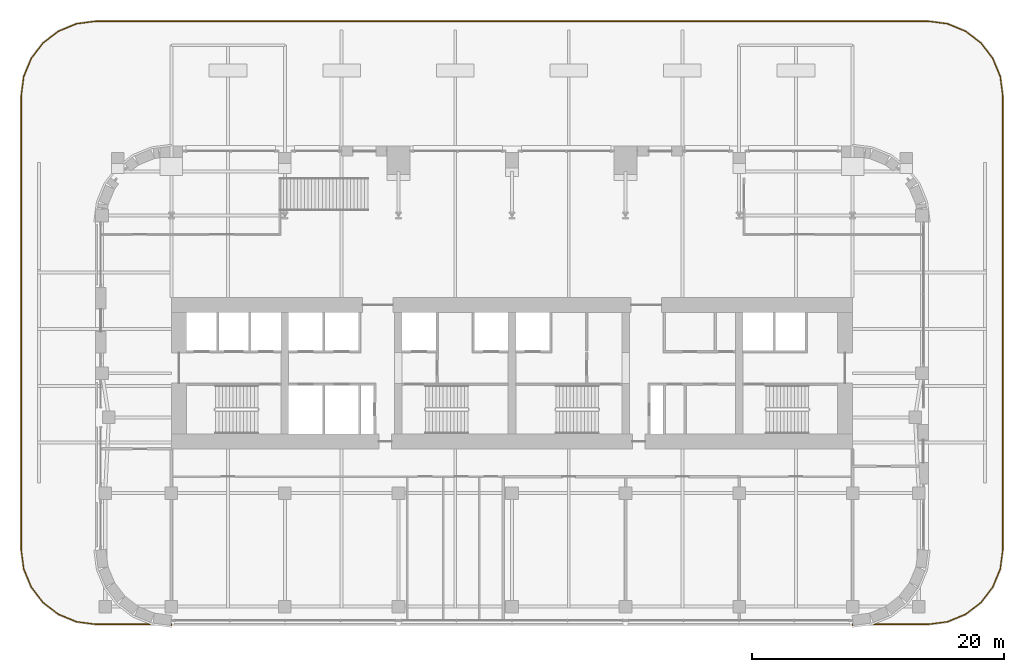
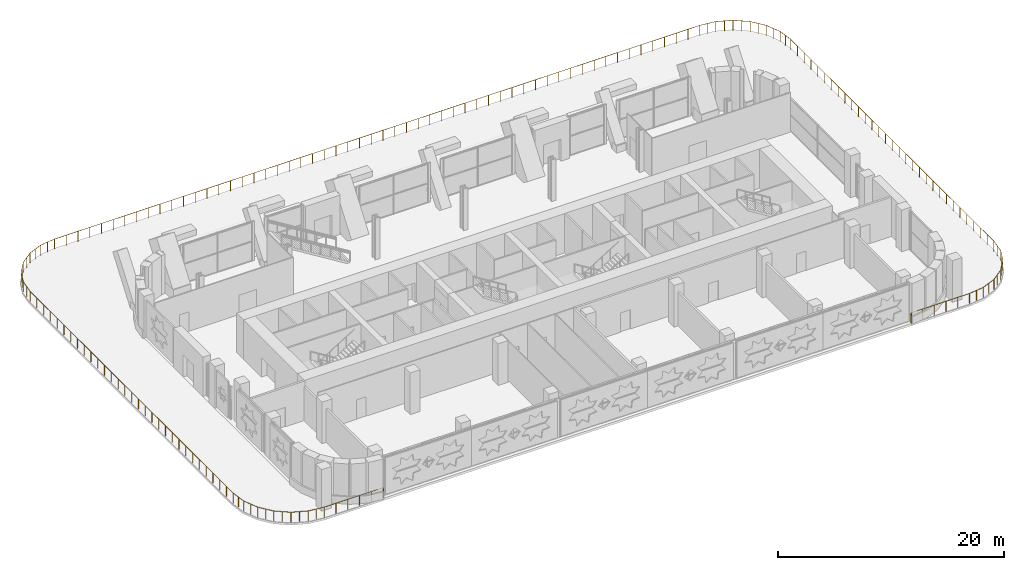
# One storey, part 20 of 26: 1 railing.
"""IFC4 building model written with IfcOpenShell, lengths in metres."""

from ifc_helpers import new_model, si_unit, direction, frame, origin, origin_2d, place, context, subcontext, project, spatial, circle, extrude, material, type_object, element, save


model = new_model("IFC4")

# Units and contexts
model_context = context("Model", 3, precision=1e-05, world=origin(), true_north=direction((0.0, 1.0)))
body_context = subcontext(model_context, "Body", "Model", "MODEL_VIEW")
ifc_project = project(units=[si_unit("LENGTHUNIT", "METRE"), si_unit("AREAUNIT", "SQUARE_METRE"), si_unit("VOLUMEUNIT", "CUBIC_METRE"), si_unit("PLANEANGLEUNIT", "RADIAN"), si_unit("MASSUNIT", "GRAM", prefix="KILO")], contexts=[model_context])

# Site, building, storey
site_placement = place(None, origin())
site = spatial("IfcSite", under=ifc_project, at=site_placement, CompositionType="ELEMENT")
building_placement = place(site_placement, origin())
building = spatial("IfcBuilding", under=site, at=building_placement, Name="Zellij Exchange Tower", CompositionType="ELEMENT")
storey_placement = place(building_placement, frame((0.0, 0.0, 39.0)))
storey = spatial("IfcBuildingStorey", under=building, at=storey_placement, Name="L06", CompositionType="ELEMENT", Elevation=39.0)

# Railing
ifc_material = material(Name="Bronze-finished aluminium", Category="aluminium")
railing_type = type_object("IfcRailingType", Name="ENV-GR1 Terrace guard", PredefinedType="GUARDRAIL", material=ifc_material)
railing_placement = place(storey_placement, frame((27.000732421875, -28.0, 0.0)))
element("IfcRailing", 1, at=railing_placement, inside=storey, type_object=railing_type, Name="Terrace guard", PredefinedType="GUARDRAIL", context=body_context, shape_type="SweptSolid", body=[
    extrude(circle(Radius=0.02490234375, at=origin_2d()), frame((0.0, 0.0, 1.0751953125), z_axis=(0.0, 1.0, 0.0), x_axis=(-1.0, 0.0, 0.0)), (0.0, 0.0, 1.0), 0.10009765625),
    extrude(circle(Radius=0.02490234375, at=origin_2d()), frame((0.0, 0.10009765625, 1.0751953125), z_axis=(1.0, 0.0, 0.0), x_axis=(0.0, 1.0, 0.0)), (0.0, 0.0, 1.0), 5.99267578125),
    extrude(circle(Radius=0.02490234375, at=origin_2d()), frame((5.99267578125, 0.10009765625, 1.0751953125), z_axis=(0.991463426777, 0.130385096405, 0.0), x_axis=(-0.130385096405, 0.991463426777, 0.0)), (0.0, 0.0, 1.0), 1.546630859375),
    extrude(circle(Radius=0.02490234375, at=origin_2d()), frame((7.526123046875, 0.3017578125, 1.0751953125), z_axis=(0.923881586142, 0.382678474425, 0.0), x_axis=(-0.382678474425, 0.923881586142, 0.0)), (0.0, 0.0, 1.0), 1.5400390625),
    extrude(circle(Radius=0.02490234375, at=origin_2d()), frame((8.948974609375, 0.89111328125, 1.0751953125), z_axis=(0.793330694412, 0.608790940556, 0.0), x_axis=(-0.608790940556, 0.793330694412, 0.0)), (0.0, 0.0, 1.0), 1.5400390625),
    extrude(circle(Radius=0.02490234375, at=origin_2d()), frame((10.170654296875, 1.82861328125, 1.0751953125), z_axis=(0.608790940556, 0.793330694412, 0.0), x_axis=(-0.793330694412, 0.608790940556, 0.0)), (0.0, 0.0, 1.0), 1.5400390625),
    extrude(circle(Radius=0.02490234375, at=origin_2d()), frame((11.108154296875, 3.05029296875, 1.0751953125), z_axis=(0.382678474425, 0.923881586142, 0.0), x_axis=(-0.923881586142, 0.382678474425, 0.0)), (0.0, 0.0, 1.0), 1.5400390625),
    extrude(circle(Radius=0.02490234375, at=origin_2d()), frame((11.697509765625, 4.47314453125, 1.0751953125), z_axis=(0.130385096405, 0.991463426777, 0.0), x_axis=(-0.991463426777, 0.130385096405, 0.0)), (0.0, 0.0, 1.0), 1.546630859375),
    extrude(circle(Radius=0.02490234375, at=origin_2d()), frame((11.899169921875, 6.006591796875, 1.0751953125), z_axis=(0.0, 1.0, 0.0), x_axis=(-1.0, 0.0, 0.0)), (0.0, 0.0, 1.0), 35.98681640625),
    extrude(circle(Radius=0.02490234375, at=origin_2d()), frame((11.899169921875, 41.993408203125, 1.0751953125), z_axis=(-0.130385096405, 0.991463426777, 0.0), x_axis=(-0.991463426777, -0.130385096405, 0.0)), (0.0, 0.0, 1.0), 1.546630859375),
    extrude(circle(Radius=0.02490234375, at=origin_2d()), frame((11.697509765625, 43.52685546875, 1.0751953125), z_axis=(-0.382678474425, 0.923881586142, 0.0), x_axis=(-0.923881586142, -0.382678474425, 0.0)), (0.0, 0.0, 1.0), 1.5400390625),
    extrude(circle(Radius=0.02490234375, at=origin_2d()), frame((11.108154296875, 44.94970703125, 1.0751953125), z_axis=(-0.608790940556, 0.793330694412, 0.0), x_axis=(-0.793330694412, -0.608790940556, 0.0)), (0.0, 0.0, 1.0), 1.5400390625),
    extrude(circle(Radius=0.02490234375, at=origin_2d()), frame((10.170654296875, 46.17138671875, 1.0751953125), z_axis=(-0.793330694412, 0.608790940556, 0.0), x_axis=(-0.608790940556, -0.793330694412, 0.0)), (0.0, 0.0, 1.0), 1.5400390625),
    extrude(circle(Radius=0.02490234375, at=origin_2d()), frame((8.948974609375, 47.10888671875, 1.0751953125), z_axis=(-0.923881586142, 0.382678474425, 0.0), x_axis=(-0.382678474425, -0.923881586142, 0.0)), (0.0, 0.0, 1.0), 1.5400390625),
    extrude(circle(Radius=0.02490234375, at=origin_2d()), frame((7.526123046875, 47.6982421875, 1.0751953125), z_axis=(-0.991463426777, 0.130385096405, 0.0), x_axis=(-0.130385096405, -0.991463426777, 0.0)), (0.0, 0.0, 1.0), 1.546630859375),
    extrude(circle(Radius=0.02490234375, at=origin_2d()), frame((5.99267578125, 47.89990234375, 1.0751953125), z_axis=(-1.0, 0.0, 0.0), x_axis=(0.0, -1.0, 0.0)), (0.0, 0.0, 1.0), 65.98681640625),
    extrude(circle(Radius=0.02490234375, at=origin_2d()), frame((-59.994140625, 47.89990234375, 1.0751953125), z_axis=(-0.991463426777, -0.130385096405, 0.0), x_axis=(0.130385096405, -0.991463426777, 0.0)), (0.0, 0.0, 1.0), 1.546630859375),
    extrude(circle(Radius=0.02490234375, at=origin_2d()), frame((-61.527587890625, 47.6982421875, 1.0751953125), z_axis=(-0.923881586142, -0.382678474425, 0.0), x_axis=(0.382678474425, -0.923881586142, 0.0)), (0.0, 0.0, 1.0), 1.5400390625),
    extrude(circle(Radius=0.02490234375, at=origin_2d()), frame((-62.950439453125, 47.10888671875, 1.0751953125), z_axis=(-0.793330694412, -0.608790940556, 0.0), x_axis=(0.608790940556, -0.793330694412, 0.0)), (0.0, 0.0, 1.0), 1.5400390625),
    extrude(circle(Radius=0.02490234375, at=origin_2d()), frame((-64.172119140625, 46.17138671875, 1.0751953125), z_axis=(-0.608790940556, -0.793330694412, 0.0), x_axis=(0.793330694412, -0.608790940556, 0.0)), (0.0, 0.0, 1.0), 1.5400390625),
    extrude(circle(Radius=0.02490234375, at=origin_2d()), frame((-65.109619140625, 44.94970703125, 1.0751953125), z_axis=(-0.382678474425, -0.923881586142, 0.0), x_axis=(0.923881586142, -0.382678474425, 0.0)), (0.0, 0.0, 1.0), 1.5400390625),
    extrude(circle(Radius=0.02490234375, at=origin_2d()), frame((-65.698974609375, 43.52685546875, 1.0751953125), z_axis=(-0.130385096405, -0.991463426777, 0.0), x_axis=(0.991463426777, -0.130385096405, 0.0)), (0.0, 0.0, 1.0), 1.546630859375),
    extrude(circle(Radius=0.02490234375, at=origin_2d()), frame((-65.900634765625, 41.993408203125, 1.0751953125), z_axis=(0.0, -1.0, 0.0), x_axis=(1.0, 0.0, 0.0)), (0.0, 0.0, 1.0), 35.98681640625),
    extrude(circle(Radius=0.02490234375, at=origin_2d()), frame((-65.900634765625, 6.006591796875, 1.0751953125), z_axis=(0.130385096405, -0.991463426777, 0.0), x_axis=(0.991463426777, 0.130385096405, 0.0)), (0.0, 0.0, 1.0), 1.546630859375),
    extrude(circle(Radius=0.02490234375, at=origin_2d()), frame((-65.698974609375, 4.47314453125, 1.0751953125), z_axis=(0.382678474425, -0.923881586142, 0.0), x_axis=(0.923881586142, 0.382678474425, 0.0)), (0.0, 0.0, 1.0), 1.5400390625),
    extrude(circle(Radius=0.02490234375, at=origin_2d()), frame((-65.109619140625, 3.05029296875, 1.0751953125), z_axis=(0.608790940556, -0.793330694412, 0.0), x_axis=(0.793330694412, 0.608790940556, 0.0)), (0.0, 0.0, 1.0), 1.5400390625),
    extrude(circle(Radius=0.02490234375, at=origin_2d()), frame((-64.172119140625, 1.82861328125, 1.0751953125), z_axis=(0.793330694412, -0.608790940556, 0.0), x_axis=(0.608790940556, 0.793330694412, 0.0)), (0.0, 0.0, 1.0), 1.5400390625),
    extrude(circle(Radius=0.02490234375, at=origin_2d()), frame((-62.950439453125, 0.89111328125, 1.0751953125), z_axis=(0.923881586142, -0.382678474425, 0.0), x_axis=(0.382678474425, 0.923881586142, 0.0)), (0.0, 0.0, 1.0), 1.5400390625),
    extrude(circle(Radius=0.02490234375, at=origin_2d()), frame((-61.527587890625, 0.3017578125, 1.0751953125), z_axis=(0.991463426777, -0.130385096405, 0.0), x_axis=(0.130385096405, 0.991463426777, 0.0)), (0.0, 0.0, 1.0), 1.546630859375),
    extrude(circle(Radius=0.02490234375, at=origin_2d()), frame((-59.994140625, 0.10009765625, 1.0751953125), z_axis=(1.0, 0.0, 0.0), x_axis=(0.0, 1.0, 0.0)), (0.0, 0.0, 1.0), 5.99267578125),
    extrude(circle(Radius=0.02490234375, at=origin_2d()), frame((-54.00146484375, 0.10009765625, 1.0751953125), z_axis=(0.0, -1.0, 0.0), x_axis=(1.0, 0.0, 0.0)), (0.0, 0.0, 1.0), 0.10009765625),
    extrude(circle(Radius=0.030029296875, at=origin_2d()), origin(), (0.0, 0.0, 1.0), 1.050048828125),
    extrude(circle(Radius=0.030029296875, at=origin_2d()), frame((0.0, 0.10009765625, 0.0)), (0.0, 0.0, 1.0), 1.050048828125),
    extrude(circle(Radius=0.030029296875, at=origin_2d()), frame((1.198486328125, 0.10009765625, 0.0)), (0.0, 0.0, 1.0), 1.050048828125),
    extrude(circle(Radius=0.030029296875, at=origin_2d()), frame((2.39697265625, 0.10009765625, 0.0)), (0.0, 0.0, 1.0), 1.050048828125),
    extrude(circle(Radius=0.030029296875, at=origin_2d()), frame((3.595703125, 0.10009765625, 0.0)), (0.0, 0.0, 1.0), 1.050048828125),
    extrude(circle(Radius=0.030029296875, at=origin_2d()), frame((4.794189453125, 0.10009765625, 0.0)), (0.0, 0.0, 1.0), 1.050048828125),
    extrude(circle(Radius=0.030029296875, at=origin_2d()), frame((5.99267578125, 0.10009765625, 0.0)), (0.0, 0.0, 1.0), 1.050048828125),
    extrude(circle(Radius=0.030029296875, at=origin_2d()), frame((6.75927734375, 0.200927734375, 0.0)), (0.0, 0.0, 1.0), 1.050048828125),
    extrude(circle(Radius=0.030029296875, at=origin_2d()), frame((7.526123046875, 0.3017578125, 0.0)), (0.0, 0.0, 1.0), 1.050048828125),
    extrude(circle(Radius=0.030029296875, at=origin_2d()), frame((8.237548828125, 0.596435546875, 0.0)), (0.0, 0.0, 1.0), 1.050048828125),
    extrude(circle(Radius=0.030029296875, at=origin_2d()), frame((8.948974609375, 0.89111328125, 0.0)), (0.0, 0.0, 1.0), 1.050048828125),
    extrude(circle(Radius=0.030029296875, at=origin_2d()), frame((9.559814453125, 1.35986328125, 0.0)), (0.0, 0.0, 1.0), 1.050048828125),
    extrude(circle(Radius=0.030029296875, at=origin_2d()), frame((10.170654296875, 1.82861328125, 0.0)), (0.0, 0.0, 1.0), 1.050048828125),
    extrude(circle(Radius=0.030029296875, at=origin_2d()), frame((10.639404296875, 2.439453125, 0.0)), (0.0, 0.0, 1.0), 1.050048828125),
    extrude(circle(Radius=0.030029296875, at=origin_2d()), frame((11.108154296875, 3.05029296875, 0.0)), (0.0, 0.0, 1.0), 1.050048828125),
    extrude(circle(Radius=0.030029296875, at=origin_2d()), frame((11.40283203125, 3.76171875, 0.0)), (0.0, 0.0, 1.0), 1.050048828125),
    extrude(circle(Radius=0.030029296875, at=origin_2d()), frame((11.697509765625, 4.47314453125, 0.0)), (0.0, 0.0, 1.0), 1.050048828125),
    extrude(circle(Radius=0.030029296875, at=origin_2d()), frame((11.79833984375, 5.23974609375, 0.0)), (0.0, 0.0, 1.0), 1.050048828125),
    extrude(circle(Radius=0.030029296875, at=origin_2d()), frame((11.899169921875, 6.006591796875, 0.0)), (0.0, 0.0, 1.0), 1.050048828125),
    extrude(circle(Radius=0.030029296875, at=origin_2d()), frame((11.899169921875, 7.2060546875, 0.0)), (0.0, 0.0, 1.0), 1.050048828125),
    extrude(circle(Radius=0.030029296875, at=origin_2d()), frame((11.899169921875, 8.40576171875, 0.0)), (0.0, 0.0, 1.0), 1.050048828125),
    extrude(circle(Radius=0.030029296875, at=origin_2d()), frame((11.899169921875, 9.605224609375, 0.0)), (0.0, 0.0, 1.0), 1.050048828125),
    extrude(circle(Radius=0.030029296875, at=origin_2d()), frame((11.899169921875, 10.804931640625, 0.0)), (0.0, 0.0, 1.0), 1.050048828125),
    extrude(circle(Radius=0.030029296875, at=origin_2d()), frame((11.899169921875, 12.00439453125, 0.0)), (0.0, 0.0, 1.0), 1.050048828125),
    extrude(circle(Radius=0.030029296875, at=origin_2d()), frame((11.899169921875, 13.203857421875, 0.0)), (0.0, 0.0, 1.0), 1.050048828125),
    extrude(circle(Radius=0.030029296875, at=origin_2d()), frame((11.899169921875, 14.403564453125, 0.0)), (0.0, 0.0, 1.0), 1.050048828125),
    extrude(circle(Radius=0.030029296875, at=origin_2d()), frame((11.899169921875, 15.60302734375, 0.0)), (0.0, 0.0, 1.0), 1.050048828125),
    extrude(circle(Radius=0.030029296875, at=origin_2d()), frame((11.899169921875, 16.802734375, 0.0)), (0.0, 0.0, 1.0), 1.050048828125),
    extrude(circle(Radius=0.030029296875, at=origin_2d()), frame((11.899169921875, 18.002197265625, 0.0)), (0.0, 0.0, 1.0), 1.050048828125),
    extrude(circle(Radius=0.030029296875, at=origin_2d()), frame((11.899169921875, 19.20166015625, 0.0)), (0.0, 0.0, 1.0), 1.050048828125),
    extrude(circle(Radius=0.030029296875, at=origin_2d()), frame((11.899169921875, 20.4013671875, 0.0)), (0.0, 0.0, 1.0), 1.050048828125),
    extrude(circle(Radius=0.030029296875, at=origin_2d()), frame((11.899169921875, 21.600830078125, 0.0)), (0.0, 0.0, 1.0), 1.050048828125),
    extrude(circle(Radius=0.030029296875, at=origin_2d()), frame((11.899169921875, 22.800537109375, 0.0)), (0.0, 0.0, 1.0), 1.050048828125),
    extrude(circle(Radius=0.030029296875, at=origin_2d()), frame((11.899169921875, 24.0, 0.0)), (0.0, 0.0, 1.0), 1.050048828125),
    extrude(circle(Radius=0.030029296875, at=origin_2d()), frame((11.899169921875, 25.199462890625, 0.0)), (0.0, 0.0, 1.0), 1.050048828125),
    extrude(circle(Radius=0.030029296875, at=origin_2d()), frame((11.899169921875, 26.399169921875, 0.0)), (0.0, 0.0, 1.0), 1.050048828125),
    extrude(circle(Radius=0.030029296875, at=origin_2d()), frame((11.899169921875, 27.5986328125, 0.0)), (0.0, 0.0, 1.0), 1.050048828125),
    extrude(circle(Radius=0.030029296875, at=origin_2d()), frame((11.899169921875, 28.79833984375, 0.0)), (0.0, 0.0, 1.0), 1.050048828125),
    extrude(circle(Radius=0.030029296875, at=origin_2d()), frame((11.899169921875, 29.997802734375, 0.0)), (0.0, 0.0, 1.0), 1.050048828125),
    extrude(circle(Radius=0.030029296875, at=origin_2d()), frame((11.899169921875, 31.197265625, 0.0)), (0.0, 0.0, 1.0), 1.050048828125),
    extrude(circle(Radius=0.030029296875, at=origin_2d()), frame((11.899169921875, 32.39697265625, 0.0)), (0.0, 0.0, 1.0), 1.050048828125),
    extrude(circle(Radius=0.030029296875, at=origin_2d()), frame((11.899169921875, 33.596435546875, 0.0)), (0.0, 0.0, 1.0), 1.050048828125),
    extrude(circle(Radius=0.030029296875, at=origin_2d()), frame((11.899169921875, 34.796142578125, 0.0)), (0.0, 0.0, 1.0), 1.050048828125),
    extrude(circle(Radius=0.030029296875, at=origin_2d()), frame((11.899169921875, 35.99560546875, 0.0)), (0.0, 0.0, 1.0), 1.050048828125),
    extrude(circle(Radius=0.030029296875, at=origin_2d()), frame((11.899169921875, 37.195068359375, 0.0)), (0.0, 0.0, 1.0), 1.050048828125),
    extrude(circle(Radius=0.030029296875, at=origin_2d()), frame((11.899169921875, 38.394775390625, 0.0)), (0.0, 0.0, 1.0), 1.050048828125),
    extrude(circle(Radius=0.030029296875, at=origin_2d()), frame((11.899169921875, 39.59423828125, 0.0)), (0.0, 0.0, 1.0), 1.050048828125),
    extrude(circle(Radius=0.030029296875, at=origin_2d()), frame((11.899169921875, 40.7939453125, 0.0)), (0.0, 0.0, 1.0), 1.050048828125),
    extrude(circle(Radius=0.030029296875, at=origin_2d()), frame((11.899169921875, 41.993408203125, 0.0)), (0.0, 0.0, 1.0), 1.050048828125),
    extrude(circle(Radius=0.030029296875, at=origin_2d()), frame((11.79833984375, 42.76025390625, 0.0)), (0.0, 0.0, 1.0), 1.050048828125),
    extrude(circle(Radius=0.030029296875, at=origin_2d()), frame((11.697509765625, 43.52685546875, 0.0)), (0.0, 0.0, 1.0), 1.050048828125),
    extrude(circle(Radius=0.030029296875, at=origin_2d()), frame((11.40283203125, 44.23828125, 0.0)), (0.0, 0.0, 1.0), 1.050048828125),
    extrude(circle(Radius=0.030029296875, at=origin_2d()), frame((11.108154296875, 44.94970703125, 0.0)), (0.0, 0.0, 1.0), 1.050048828125),
    extrude(circle(Radius=0.030029296875, at=origin_2d()), frame((10.639404296875, 45.560546875, 0.0)), (0.0, 0.0, 1.0), 1.050048828125),
    extrude(circle(Radius=0.030029296875, at=origin_2d()), frame((10.170654296875, 46.17138671875, 0.0)), (0.0, 0.0, 1.0), 1.050048828125),
    extrude(circle(Radius=0.030029296875, at=origin_2d()), frame((9.559814453125, 46.64013671875, 0.0)), (0.0, 0.0, 1.0), 1.050048828125),
    extrude(circle(Radius=0.030029296875, at=origin_2d()), frame((8.948974609375, 47.10888671875, 0.0)), (0.0, 0.0, 1.0), 1.050048828125),
    extrude(circle(Radius=0.030029296875, at=origin_2d()), frame((8.237548828125, 47.403564453125, 0.0)), (0.0, 0.0, 1.0), 1.050048828125),
    extrude(circle(Radius=0.030029296875, at=origin_2d()), frame((7.526123046875, 47.6982421875, 0.0)), (0.0, 0.0, 1.0), 1.050048828125),
    extrude(circle(Radius=0.030029296875, at=origin_2d()), frame((6.75927734375, 47.799072265625, 0.0)), (0.0, 0.0, 1.0), 1.050048828125),
    extrude(circle(Radius=0.030029296875, at=origin_2d()), frame((5.99267578125, 47.89990234375, 0.0)), (0.0, 0.0, 1.0), 1.050048828125),
    extrude(circle(Radius=0.030029296875, at=origin_2d()), frame((4.79296875, 47.89990234375, 0.0)), (0.0, 0.0, 1.0), 1.050048828125),
    extrude(circle(Radius=0.030029296875, at=origin_2d()), frame((3.59326171875, 47.89990234375, 0.0)), (0.0, 0.0, 1.0), 1.050048828125),
    extrude(circle(Radius=0.030029296875, at=origin_2d()), frame((2.393310546875, 47.89990234375, 0.0)), (0.0, 0.0, 1.0), 1.050048828125),
    extrude(circle(Radius=0.030029296875, at=origin_2d()), frame((1.193603515625, 47.89990234375, 0.0)), (0.0, 0.0, 1.0), 1.050048828125),
    extrude(circle(Radius=0.030029296875, at=origin_2d()), frame((-0.006103515625, 47.89990234375, 0.0)), (0.0, 0.0, 1.0), 1.050048828125),
    extrude(circle(Radius=0.030029296875, at=origin_2d()), frame((-1.205810546875, 47.89990234375, 0.0)), (0.0, 0.0, 1.0), 1.050048828125),
    extrude(circle(Radius=0.030029296875, at=origin_2d()), frame((-2.40576171875, 47.89990234375, 0.0)), (0.0, 0.0, 1.0), 1.050048828125),
    extrude(circle(Radius=0.030029296875, at=origin_2d()), frame((-3.60546875, 47.89990234375, 0.0)), (0.0, 0.0, 1.0), 1.050048828125),
    extrude(circle(Radius=0.030029296875, at=origin_2d()), frame((-4.80517578125, 47.89990234375, 0.0)), (0.0, 0.0, 1.0), 1.050048828125),
    extrude(circle(Radius=0.030029296875, at=origin_2d()), frame((-6.0048828125, 47.89990234375, 0.0)), (0.0, 0.0, 1.0), 1.050048828125),
    extrude(circle(Radius=0.030029296875, at=origin_2d()), frame((-7.20458984375, 47.89990234375, 0.0)), (0.0, 0.0, 1.0), 1.050048828125),
    extrude(circle(Radius=0.030029296875, at=origin_2d()), frame((-8.404541015625, 47.89990234375, 0.0)), (0.0, 0.0, 1.0), 1.050048828125),
    extrude(circle(Radius=0.030029296875, at=origin_2d()), frame((-9.604248046875, 47.89990234375, 0.0)), (0.0, 0.0, 1.0), 1.050048828125),
    extrude(circle(Radius=0.030029296875, at=origin_2d()), frame((-10.803955078125, 47.89990234375, 0.0)), (0.0, 0.0, 1.0), 1.050048828125),
    extrude(circle(Radius=0.030029296875, at=origin_2d()), frame((-12.003662109375, 47.89990234375, 0.0)), (0.0, 0.0, 1.0), 1.050048828125),
    extrude(circle(Radius=0.030029296875, at=origin_2d()), frame((-13.203369140625, 47.89990234375, 0.0)), (0.0, 0.0, 1.0), 1.050048828125),
    extrude(circle(Radius=0.030029296875, at=origin_2d()), frame((-14.4033203125, 47.89990234375, 0.0)), (0.0, 0.0, 1.0), 1.050048828125),
    extrude(circle(Radius=0.030029296875, at=origin_2d()), frame((-15.60302734375, 47.89990234375, 0.0)), (0.0, 0.0, 1.0), 1.050048828125),
    extrude(circle(Radius=0.030029296875, at=origin_2d()), frame((-16.802734375, 47.89990234375, 0.0)), (0.0, 0.0, 1.0), 1.050048828125),
    extrude(circle(Radius=0.030029296875, at=origin_2d()), frame((-18.00244140625, 47.89990234375, 0.0)), (0.0, 0.0, 1.0), 1.050048828125),
    extrude(circle(Radius=0.030029296875, at=origin_2d()), frame((-19.202392578125, 47.89990234375, 0.0)), (0.0, 0.0, 1.0), 1.050048828125),
    extrude(circle(Radius=0.030029296875, at=origin_2d()), frame((-20.402099609375, 47.89990234375, 0.0)), (0.0, 0.0, 1.0), 1.050048828125),
    extrude(circle(Radius=0.030029296875, at=origin_2d()), frame((-21.601806640625, 47.89990234375, 0.0)), (0.0, 0.0, 1.0), 1.050048828125),
    extrude(circle(Radius=0.030029296875, at=origin_2d()), frame((-22.801513671875, 47.89990234375, 0.0)), (0.0, 0.0, 1.0), 1.050048828125),
    extrude(circle(Radius=0.030029296875, at=origin_2d()), frame((-24.001220703125, 47.89990234375, 0.0)), (0.0, 0.0, 1.0), 1.050048828125),
    extrude(circle(Radius=0.030029296875, at=origin_2d()), frame((-25.201171875, 47.89990234375, 0.0)), (0.0, 0.0, 1.0), 1.050048828125),
    extrude(circle(Radius=0.030029296875, at=origin_2d()), frame((-26.40087890625, 47.89990234375, 0.0)), (0.0, 0.0, 1.0), 1.050048828125),
    extrude(circle(Radius=0.030029296875, at=origin_2d()), frame((-27.6005859375, 47.89990234375, 0.0)), (0.0, 0.0, 1.0), 1.050048828125),
    extrude(circle(Radius=0.030029296875, at=origin_2d()), frame((-28.80029296875, 47.89990234375, 0.0)), (0.0, 0.0, 1.0), 1.050048828125),
    extrude(circle(Radius=0.030029296875, at=origin_2d()), frame((-30.000244140625, 47.89990234375, 0.0)), (0.0, 0.0, 1.0), 1.050048828125),
    extrude(circle(Radius=0.030029296875, at=origin_2d()), frame((-31.199951171875, 47.89990234375, 0.0)), (0.0, 0.0, 1.0), 1.050048828125),
    extrude(circle(Radius=0.030029296875, at=origin_2d()), frame((-32.399658203125, 47.89990234375, 0.0)), (0.0, 0.0, 1.0), 1.050048828125),
    extrude(circle(Radius=0.030029296875, at=origin_2d()), frame((-33.599365234375, 47.89990234375, 0.0)), (0.0, 0.0, 1.0), 1.050048828125),
    extrude(circle(Radius=0.030029296875, at=origin_2d()), frame((-34.799072265625, 47.89990234375, 0.0)), (0.0, 0.0, 1.0), 1.050048828125),
    extrude(circle(Radius=0.030029296875, at=origin_2d()), frame((-35.9990234375, 47.89990234375, 0.0)), (0.0, 0.0, 1.0), 1.050048828125),
    extrude(circle(Radius=0.030029296875, at=origin_2d()), frame((-37.19873046875, 47.89990234375, 0.0)), (0.0, 0.0, 1.0), 1.050048828125),
    extrude(circle(Radius=0.030029296875, at=origin_2d()), frame((-38.3984375, 47.89990234375, 0.0)), (0.0, 0.0, 1.0), 1.050048828125),
    extrude(circle(Radius=0.030029296875, at=origin_2d()), frame((-39.59814453125, 47.89990234375, 0.0)), (0.0, 0.0, 1.0), 1.050048828125),
    extrude(circle(Radius=0.030029296875, at=origin_2d()), frame((-40.798095703125, 47.89990234375, 0.0)), (0.0, 0.0, 1.0), 1.050048828125),
    extrude(circle(Radius=0.030029296875, at=origin_2d()), frame((-41.997802734375, 47.89990234375, 0.0)), (0.0, 0.0, 1.0), 1.050048828125),
    extrude(circle(Radius=0.030029296875, at=origin_2d()), frame((-43.197509765625, 47.89990234375, 0.0)), (0.0, 0.0, 1.0), 1.050048828125),
    extrude(circle(Radius=0.030029296875, at=origin_2d()), frame((-44.397216796875, 47.89990234375, 0.0)), (0.0, 0.0, 1.0), 1.050048828125),
    extrude(circle(Radius=0.030029296875, at=origin_2d()), frame((-45.596923828125, 47.89990234375, 0.0)), (0.0, 0.0, 1.0), 1.050048828125),
    extrude(circle(Radius=0.030029296875, at=origin_2d()), frame((-46.796875, 47.89990234375, 0.0)), (0.0, 0.0, 1.0), 1.050048828125),
    extrude(circle(Radius=0.030029296875, at=origin_2d()), frame((-47.99658203125, 47.89990234375, 0.0)), (0.0, 0.0, 1.0), 1.050048828125),
    extrude(circle(Radius=0.030029296875, at=origin_2d()), frame((-49.1962890625, 47.89990234375, 0.0)), (0.0, 0.0, 1.0), 1.050048828125),
    extrude(circle(Radius=0.030029296875, at=origin_2d()), frame((-50.39599609375, 47.89990234375, 0.0)), (0.0, 0.0, 1.0), 1.050048828125),
    extrude(circle(Radius=0.030029296875, at=origin_2d()), frame((-51.595703125, 47.89990234375, 0.0)), (0.0, 0.0, 1.0), 1.050048828125),
    extrude(circle(Radius=0.030029296875, at=origin_2d()), frame((-52.795654296875, 47.89990234375, 0.0)), (0.0, 0.0, 1.0), 1.050048828125),
    extrude(circle(Radius=0.030029296875, at=origin_2d()), frame((-53.995361328125, 47.89990234375, 0.0)), (0.0, 0.0, 1.0), 1.050048828125),
    extrude(circle(Radius=0.030029296875, at=origin_2d()), frame((-55.195068359375, 47.89990234375, 0.0)), (0.0, 0.0, 1.0), 1.050048828125),
    extrude(circle(Radius=0.030029296875, at=origin_2d()), frame((-56.394775390625, 47.89990234375, 0.0)), (0.0, 0.0, 1.0), 1.050048828125),
    extrude(circle(Radius=0.030029296875, at=origin_2d()), frame((-57.5947265625, 47.89990234375, 0.0)), (0.0, 0.0, 1.0), 1.050048828125),
    extrude(circle(Radius=0.030029296875, at=origin_2d()), frame((-58.79443359375, 47.89990234375, 0.0)), (0.0, 0.0, 1.0), 1.050048828125),
    extrude(circle(Radius=0.030029296875, at=origin_2d()), frame((-59.994140625, 47.89990234375, 0.0)), (0.0, 0.0, 1.0), 1.050048828125),
    extrude(circle(Radius=0.030029296875, at=origin_2d()), frame((-60.7607421875, 47.799072265625, 0.0)), (0.0, 0.0, 1.0), 1.050048828125),
    extrude(circle(Radius=0.030029296875, at=origin_2d()), frame((-61.527587890625, 47.6982421875, 0.0)), (0.0, 0.0, 1.0), 1.050048828125),
    extrude(circle(Radius=0.030029296875, at=origin_2d()), frame((-62.239013671875, 47.403564453125, 0.0)), (0.0, 0.0, 1.0), 1.050048828125),
    extrude(circle(Radius=0.030029296875, at=origin_2d()), frame((-62.950439453125, 47.10888671875, 0.0)), (0.0, 0.0, 1.0), 1.050048828125),
    extrude(circle(Radius=0.030029296875, at=origin_2d()), frame((-63.561279296875, 46.64013671875, 0.0)), (0.0, 0.0, 1.0), 1.050048828125),
    extrude(circle(Radius=0.030029296875, at=origin_2d()), frame((-64.172119140625, 46.17138671875, 0.0)), (0.0, 0.0, 1.0), 1.050048828125),
    extrude(circle(Radius=0.030029296875, at=origin_2d()), frame((-64.640869140625, 45.560546875, 0.0)), (0.0, 0.0, 1.0), 1.050048828125),
    extrude(circle(Radius=0.030029296875, at=origin_2d()), frame((-65.109619140625, 44.94970703125, 0.0)), (0.0, 0.0, 1.0), 1.050048828125),
    extrude(circle(Radius=0.030029296875, at=origin_2d()), frame((-65.404296875, 44.23828125, 0.0)), (0.0, 0.0, 1.0), 1.050048828125),
    extrude(circle(Radius=0.030029296875, at=origin_2d()), frame((-65.698974609375, 43.52685546875, 0.0)), (0.0, 0.0, 1.0), 1.050048828125),
    extrude(circle(Radius=0.030029296875, at=origin_2d()), frame((-65.7998046875, 42.76025390625, 0.0)), (0.0, 0.0, 1.0), 1.050048828125),
    extrude(circle(Radius=0.030029296875, at=origin_2d()), frame((-65.900634765625, 41.993408203125, 0.0)), (0.0, 0.0, 1.0), 1.050048828125),
    extrude(circle(Radius=0.030029296875, at=origin_2d()), frame((-65.900634765625, 40.7939453125, 0.0)), (0.0, 0.0, 1.0), 1.050048828125),
    extrude(circle(Radius=0.030029296875, at=origin_2d()), frame((-65.900634765625, 39.59423828125, 0.0)), (0.0, 0.0, 1.0), 1.050048828125),
    extrude(circle(Radius=0.030029296875, at=origin_2d()), frame((-65.900634765625, 38.394775390625, 0.0)), (0.0, 0.0, 1.0), 1.050048828125),
    extrude(circle(Radius=0.030029296875, at=origin_2d()), frame((-65.900634765625, 37.195068359375, 0.0)), (0.0, 0.0, 1.0), 1.050048828125),
    extrude(circle(Radius=0.030029296875, at=origin_2d()), frame((-65.900634765625, 35.99560546875, 0.0)), (0.0, 0.0, 1.0), 1.050048828125),
    extrude(circle(Radius=0.030029296875, at=origin_2d()), frame((-65.900634765625, 34.796142578125, 0.0)), (0.0, 0.0, 1.0), 1.050048828125),
    extrude(circle(Radius=0.030029296875, at=origin_2d()), frame((-65.900634765625, 33.596435546875, 0.0)), (0.0, 0.0, 1.0), 1.050048828125),
    extrude(circle(Radius=0.030029296875, at=origin_2d()), frame((-65.900634765625, 32.39697265625, 0.0)), (0.0, 0.0, 1.0), 1.050048828125),
    extrude(circle(Radius=0.030029296875, at=origin_2d()), frame((-65.900634765625, 31.197265625, 0.0)), (0.0, 0.0, 1.0), 1.050048828125),
    extrude(circle(Radius=0.030029296875, at=origin_2d()), frame((-65.900634765625, 29.997802734375, 0.0)), (0.0, 0.0, 1.0), 1.050048828125),
    extrude(circle(Radius=0.030029296875, at=origin_2d()), frame((-65.900634765625, 28.79833984375, 0.0)), (0.0, 0.0, 1.0), 1.050048828125),
    extrude(circle(Radius=0.030029296875, at=origin_2d()), frame((-65.900634765625, 27.5986328125, 0.0)), (0.0, 0.0, 1.0), 1.050048828125),
    extrude(circle(Radius=0.030029296875, at=origin_2d()), frame((-65.900634765625, 26.399169921875, 0.0)), (0.0, 0.0, 1.0), 1.050048828125),
    extrude(circle(Radius=0.030029296875, at=origin_2d()), frame((-65.900634765625, 25.199462890625, 0.0)), (0.0, 0.0, 1.0), 1.050048828125),
    extrude(circle(Radius=0.030029296875, at=origin_2d()), frame((-65.900634765625, 24.0, 0.0)), (0.0, 0.0, 1.0), 1.050048828125),
    extrude(circle(Radius=0.030029296875, at=origin_2d()), frame((-65.900634765625, 22.800537109375, 0.0)), (0.0, 0.0, 1.0), 1.050048828125),
    extrude(circle(Radius=0.030029296875, at=origin_2d()), frame((-65.900634765625, 21.600830078125, 0.0)), (0.0, 0.0, 1.0), 1.050048828125),
    extrude(circle(Radius=0.030029296875, at=origin_2d()), frame((-65.900634765625, 20.4013671875, 0.0)), (0.0, 0.0, 1.0), 1.050048828125),
    extrude(circle(Radius=0.030029296875, at=origin_2d()), frame((-65.900634765625, 19.20166015625, 0.0)), (0.0, 0.0, 1.0), 1.050048828125),
    extrude(circle(Radius=0.030029296875, at=origin_2d()), frame((-65.900634765625, 18.002197265625, 0.0)), (0.0, 0.0, 1.0), 1.050048828125),
    extrude(circle(Radius=0.030029296875, at=origin_2d()), frame((-65.900634765625, 16.802734375, 0.0)), (0.0, 0.0, 1.0), 1.050048828125),
    extrude(circle(Radius=0.030029296875, at=origin_2d()), frame((-65.900634765625, 15.60302734375, 0.0)), (0.0, 0.0, 1.0), 1.050048828125),
    extrude(circle(Radius=0.030029296875, at=origin_2d()), frame((-65.900634765625, 14.403564453125, 0.0)), (0.0, 0.0, 1.0), 1.050048828125),
    extrude(circle(Radius=0.030029296875, at=origin_2d()), frame((-65.900634765625, 13.203857421875, 0.0)), (0.0, 0.0, 1.0), 1.050048828125),
    extrude(circle(Radius=0.030029296875, at=origin_2d()), frame((-65.900634765625, 12.00439453125, 0.0)), (0.0, 0.0, 1.0), 1.050048828125),
    extrude(circle(Radius=0.030029296875, at=origin_2d()), frame((-65.900634765625, 10.804931640625, 0.0)), (0.0, 0.0, 1.0), 1.050048828125),
    extrude(circle(Radius=0.030029296875, at=origin_2d()), frame((-65.900634765625, 9.605224609375, 0.0)), (0.0, 0.0, 1.0), 1.050048828125),
    extrude(circle(Radius=0.030029296875, at=origin_2d()), frame((-65.900634765625, 8.40576171875, 0.0)), (0.0, 0.0, 1.0), 1.050048828125),
    extrude(circle(Radius=0.030029296875, at=origin_2d()), frame((-65.900634765625, 7.2060546875, 0.0)), (0.0, 0.0, 1.0), 1.050048828125),
    extrude(circle(Radius=0.030029296875, at=origin_2d()), frame((-65.900634765625, 6.006591796875, 0.0)), (0.0, 0.0, 1.0), 1.050048828125),
    extrude(circle(Radius=0.030029296875, at=origin_2d()), frame((-65.7998046875, 5.23974609375, 0.0)), (0.0, 0.0, 1.0), 1.050048828125),
    extrude(circle(Radius=0.030029296875, at=origin_2d()), frame((-65.698974609375, 4.47314453125, 0.0)), (0.0, 0.0, 1.0), 1.050048828125),
    extrude(circle(Radius=0.030029296875, at=origin_2d()), frame((-65.404296875, 3.76171875, 0.0)), (0.0, 0.0, 1.0), 1.050048828125),
    extrude(circle(Radius=0.030029296875, at=origin_2d()), frame((-65.109619140625, 3.05029296875, 0.0)), (0.0, 0.0, 1.0), 1.050048828125),
    extrude(circle(Radius=0.030029296875, at=origin_2d()), frame((-64.640869140625, 2.439453125, 0.0)), (0.0, 0.0, 1.0), 1.050048828125),
    extrude(circle(Radius=0.030029296875, at=origin_2d()), frame((-64.172119140625, 1.82861328125, 0.0)), (0.0, 0.0, 1.0), 1.050048828125),
    extrude(circle(Radius=0.030029296875, at=origin_2d()), frame((-63.561279296875, 1.35986328125, 0.0)), (0.0, 0.0, 1.0), 1.050048828125),
    extrude(circle(Radius=0.030029296875, at=origin_2d()), frame((-62.950439453125, 0.89111328125, 0.0)), (0.0, 0.0, 1.0), 1.050048828125),
    extrude(circle(Radius=0.030029296875, at=origin_2d()), frame((-62.239013671875, 0.596435546875, 0.0)), (0.0, 0.0, 1.0), 1.050048828125),
    extrude(circle(Radius=0.030029296875, at=origin_2d()), frame((-61.527587890625, 0.3017578125, 0.0)), (0.0, 0.0, 1.0), 1.050048828125),
    extrude(circle(Radius=0.030029296875, at=origin_2d()), frame((-60.7607421875, 0.200927734375, 0.0)), (0.0, 0.0, 1.0), 1.050048828125),
    extrude(circle(Radius=0.030029296875, at=origin_2d()), frame((-59.994140625, 0.10009765625, 0.0)), (0.0, 0.0, 1.0), 1.050048828125),
    extrude(circle(Radius=0.030029296875, at=origin_2d()), frame((-58.795654296875, 0.10009765625, 0.0)), (0.0, 0.0, 1.0), 1.050048828125),
    extrude(circle(Radius=0.030029296875, at=origin_2d()), frame((-57.59716796875, 0.10009765625, 0.0)), (0.0, 0.0, 1.0), 1.050048828125),
    extrude(circle(Radius=0.030029296875, at=origin_2d()), frame((-56.3984375, 0.10009765625, 0.0)), (0.0, 0.0, 1.0), 1.050048828125),
    extrude(circle(Radius=0.030029296875, at=origin_2d()), frame((-55.199951171875, 0.10009765625, 0.0)), (0.0, 0.0, 1.0), 1.050048828125),
    extrude(circle(Radius=0.030029296875, at=origin_2d()), frame((-54.00146484375, 0.10009765625, 0.0)), (0.0, 0.0, 1.0), 1.050048828125),
    extrude(circle(Radius=0.030029296875, at=origin_2d()), frame((-54.00146484375, 0.0, 0.0)), (0.0, 0.0, 1.0), 1.050048828125),
])

save(model, "model.ifc")
